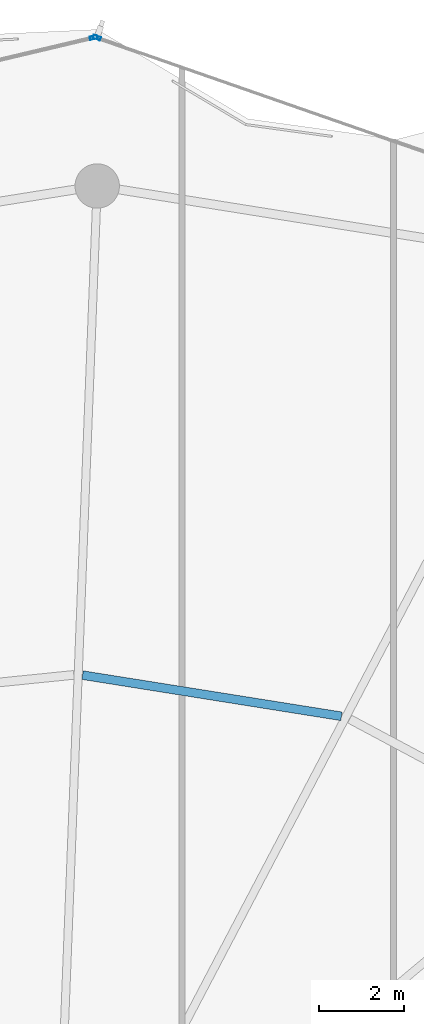
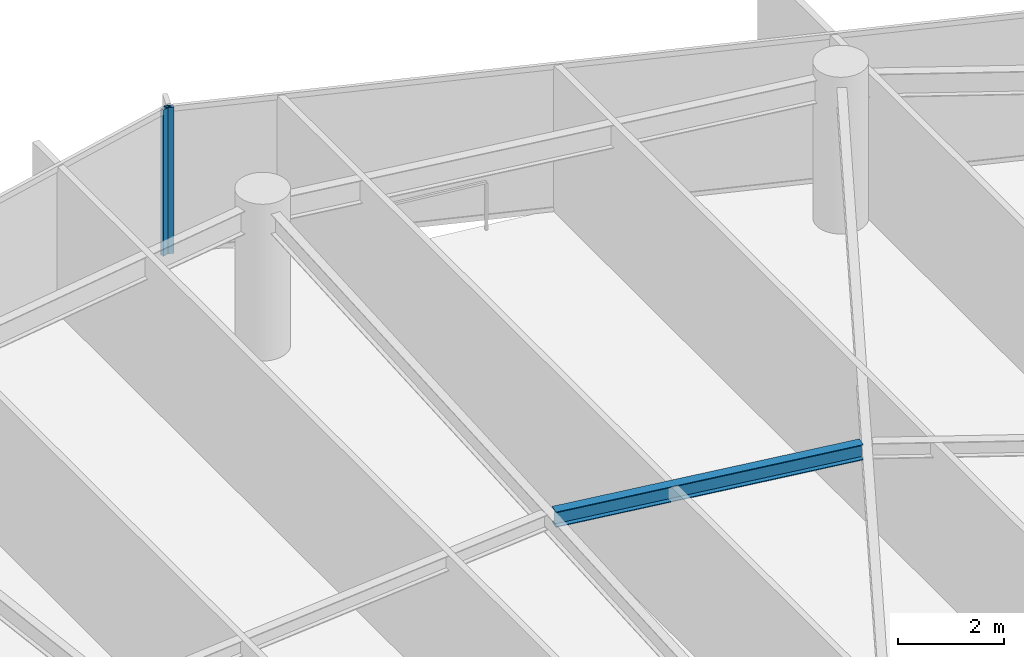
# One storey, part 19 of 28: 2 members, 1 beam, 2 elements without a shape of their own.
"""IFC4 building model written with IfcOpenShell, lengths in metres."""

from ifc_helpers import new_model, si_unit, direction, frame, origin, origin_2d, place, context, subcontext, project, spatial, hollow_rectangle, i_section, extrude, material, layer, layer_set, material_profile, profile_set, type_object, element, aggregate, save


model = new_model("IFC4")

# Units and contexts
model_context = context("Model", 3, precision=1e-05, world=origin(), true_north=direction((0.0, 1.0)))
body_context = subcontext(model_context, "Body", "Model", "MODEL_VIEW")
ifc_project = project(units=[si_unit("LENGTHUNIT", "METRE"), si_unit("AREAUNIT", "SQUARE_METRE"), si_unit("VOLUMEUNIT", "CUBIC_METRE"), si_unit("PLANEANGLEUNIT", "RADIAN"), si_unit("MASSUNIT", "GRAM", prefix="KILO")], contexts=[model_context])

# Site, building, storey
site_placement = place(None, origin())
site = spatial("IfcSite", under=ifc_project, at=site_placement, CompositionType="ELEMENT")
building_placement = place(site_placement, origin())
building = spatial("IfcBuilding", under=site, at=building_placement, Name="Kazevale Care Tower and Concert Hall", CompositionType="ELEMENT")
storey_placement = place(building_placement, frame((0.0, 0.0, 246.0)))
storey = spatial("IfcBuildingStorey", under=building, at=storey_placement, Name="L65", CompositionType="ELEMENT", Elevation=246.0)

# Curtain wall, member
ifc_material_1 = material(Name="Aluminium 6063-T6 and Low-E Glass", Category="aluminium")
ifc_layer_1 = layer(ifc_material_1, 0.179931640625)
ifc_layer_set_1 = layer_set([ifc_layer_1], Name="Aluminium 6063-T6 and Low-E Glass")
curtain_wall_type_1 = type_object("IfcCurtainWallType", Name="Convex Checkerboard Finned Curtain Wall CW-2", PredefinedType="NOTDEFINED", material=ifc_layer_set_1)
curtain_wall_1_placement = place(storey_placement, origin())
curtain_wall_1 = element("IfcCurtainWall", 1, at=curtain_wall_1_placement, inside=storey, type_object=curtain_wall_type_1, Name="cw:L65:f16", PredefinedType="NOTDEFINED")
ifc_material_2 = material(Name="Aluminium 6063-T6", Category="aluminium")
ifc_material_profile_1 = material_profile(ifc_material_2, hollow_rectangle(XDim=0.080078125, YDim=0.179931640625, WallThickness=0.0048828125, at=origin_2d()), Name="ALU80x180x5")
ifc_profile_set_1 = profile_set([ifc_material_profile_1], Name="Aluminium 6063-T6")
member_type_1 = type_object("IfcMemberType", Name="CW-2 Mullion ALU80x180x5", PredefinedType="MULLION", material=ifc_profile_set_1)
member_1_placement = place(storey_placement, frame((44.99169921875, 65.554931640625, 0.0), z_axis=(0.0, 0.0, 1.0), x_axis=(0.328583704497, 0.94447485363, 0.0)))
member_1 = element("IfcMember", 2, at=member_1_placement, type_object=member_type_1, Name="CW-2 mullion 1", PredefinedType="MULLION", context=body_context, shape_type="SweptSolid", body=[
    extrude(hollow_rectangle(XDim=0.080078125, YDim=0.179931640625, WallThickness=0.0048828125, at=origin_2d()), origin(), (0.0, 0.0, 1.0), 3.360107421875),
])
aggregate(curtain_wall_1, [member_1])

ifc_layer_2 = layer(ifc_material_1, 0.179931640625)
ifc_layer_set_2 = layer_set([ifc_layer_2], Name="Aluminium 6063-T6 and Low-E Glass")
curtain_wall_type_2 = type_object("IfcCurtainWallType", Name="Waist & Upper Residential Curtain Wall CW-4", PredefinedType="NOTDEFINED", material=ifc_layer_set_2)
curtain_wall_2_placement = place(storey_placement, origin())
curtain_wall_2 = element("IfcCurtainWall", 3, at=curtain_wall_2_placement, inside=storey, type_object=curtain_wall_type_2, Name="cw:L65:f15", PredefinedType="NOTDEFINED")
ifc_material_profile_2 = material_profile(ifc_material_2, hollow_rectangle(XDim=0.080078125, YDim=0.179931640625, WallThickness=0.0048828125, at=origin_2d()), Name="ALU80x180x5")
ifc_profile_set_2 = profile_set([ifc_material_profile_2], Name="Aluminium 6063-T6")
member_type_2 = type_object("IfcMemberType", Name="CW-4 Mullion ALU80x180x5", PredefinedType="MULLION", material=ifc_profile_set_2)
member_2_placement = place(storey_placement, frame((44.9150390625, 65.558837890625, 0.0), z_axis=(0.0, 0.0, 1.0), x_axis=(-0.230439111929, 0.973086746233, 0.0)))
member_2 = element("IfcMember", 4, at=member_2_placement, type_object=member_type_2, Name="CW-4 mullion 2", PredefinedType="MULLION", context=body_context, shape_type="SweptSolid", body=[
    extrude(hollow_rectangle(XDim=0.080078125, YDim=0.179931640625, WallThickness=0.0048828125, at=origin_2d()), origin(), (0.0, 0.0, 1.0), 3.360107421875),
])
aggregate(curtain_wall_2, [member_2])

# Beam
ifc_material_3 = material(Name="Steel ASTM A572 Gr 50", Category="steel")
ifc_material_profile_3 = material_profile(ifc_material_3, i_section(OverallWidth=0.205078125, OverallDepth=0.35400390625, WebThickness=0.009521484375, FlangeThickness=0.016845703125, at=origin_2d()), Name="W360x79")
ifc_profile_set_3 = profile_set([ifc_material_profile_3], Name="Steel ASTM A572 Gr 50")
beam_type = type_object("IfcBeamType", Name="Secondary Floor Joist W360x79", PredefinedType="JOIST", material=ifc_profile_set_3)
beam_placement = place(storey_placement, frame((50.77099609375, 49.51806640625, 3.18310546875), z_axis=(-0.987586560603, 0.157075731152, 0.0), x_axis=(-0.157075731152, -0.987586560603, 0.0)))
element("IfcBeam", 5, at=beam_placement, inside=storey, type_object=beam_type, Name="beam:L65:joist:04", PredefinedType="JOIST", context=body_context, shape_type="SweptSolid", body=[
    extrude(i_section(OverallWidth=0.205078125, OverallDepth=0.35400390625, WebThickness=0.009521484375, FlangeThickness=0.016845703125, at=origin_2d()), origin(), (0.0, 0.0, 1.0), 6.19384765625),
])

save(model, "model.ifc")
